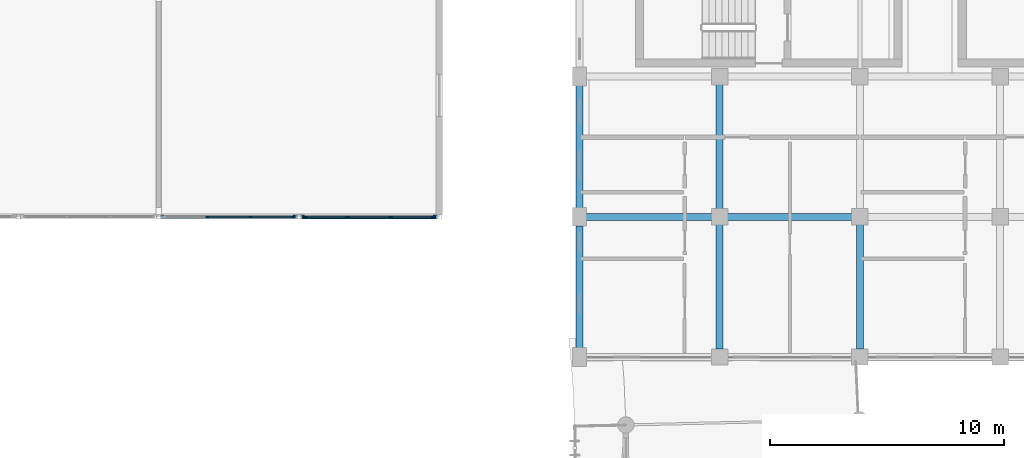
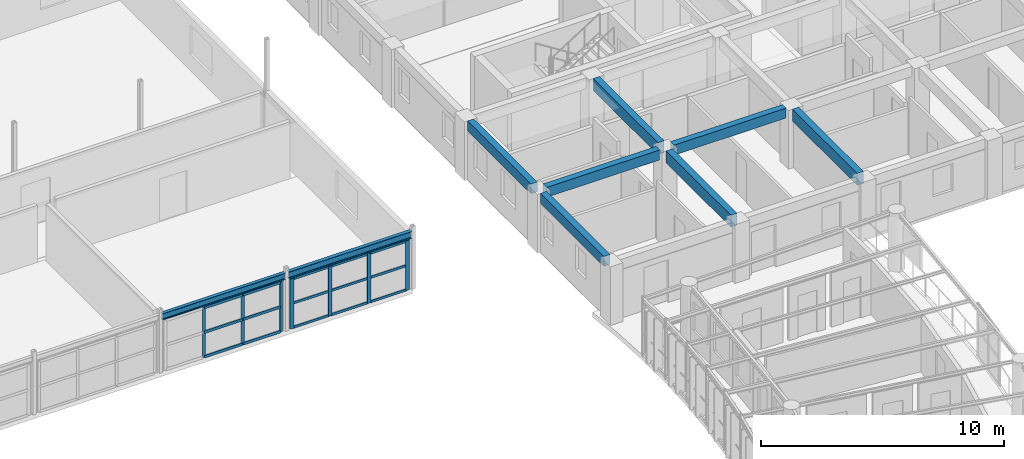
# One storey, part 41 of 137: 22 members, 9 beams, 2 elements without a shape of their own.
"""IFC4 building model written with IfcOpenShell, lengths in metres."""

from ifc_helpers import new_model, si_unit, direction, frame, origin, origin_2d, place, context, subcontext, project, spatial, rectangle, i_section, extrude, material, layer, layer_set, material_profile, profile_set, type_object, element, aggregate, save


model = new_model("IFC4")

# Units and contexts
model_context = context("Model", 3, precision=1e-05, world=origin(), true_north=direction((0.0, 1.0)))
body_context = subcontext(model_context, "Body", "Model", "MODEL_VIEW")
ifc_project = project(units=[si_unit("LENGTHUNIT", "METRE"), si_unit("AREAUNIT", "SQUARE_METRE"), si_unit("VOLUMEUNIT", "CUBIC_METRE"), si_unit("PLANEANGLEUNIT", "RADIAN"), si_unit("MASSUNIT", "GRAM", prefix="KILO"), si_unit("POWERUNIT", "WATT"), si_unit("THERMODYNAMICTEMPERATUREUNIT", "KELVIN")], contexts=[model_context])

# Site, building, storey
site_placement = place(None, origin())
site = spatial("IfcSite", under=ifc_project, at=site_placement, CompositionType="ELEMENT")
building_placement = place(site_placement, origin())
building = spatial("IfcBuilding", under=site, at=building_placement, Name="Ruvembo Vaulted Housing Court", CompositionType="ELEMENT")
storey_placement = place(building_placement, frame((0.0, 0.0, 4.5)))
storey = spatial("IfcBuildingStorey", under=building, at=storey_placement, Name="L01", CompositionType="ELEMENT", Elevation=4.5)

# Beams
ifc_material_1 = material(Name="Concrete C35/45", Category="concrete")
ifc_material_profile_1 = material_profile(ifc_material_1, rectangle(XDim=0.300048828125, YDim=0.60009765625, at=origin_2d()), Name="RC 300x600")
ifc_profile_set_1 = profile_set([ifc_material_profile_1], Name="Concrete C35/45")
beam_type_1 = type_object("IfcBeamType", Name="BM-RC-300x600", PredefinedType="BEAM", material=ifc_profile_set_1)
for number, where, z_axis, x_axis, name in (
    (1, (54.0, 78.3349609375, 2.64501953125), (0.0, 1.0, 0.0), (-1.0, 0.0, 0.0), "L01 Grid Beam Y #1349"),
    (2, (54.0, 84.3349609375, 2.64501953125), (0.0, 1.0, 0.0), (-1.0, 0.0, 0.0), "L01 Grid Beam Y #1350"),
    (3, (60.0, 78.3349609375, 2.64501953125), (0.0, 1.0, 0.0), (-1.0, 0.0, 0.0), "L01 Grid Beam Y #1353"),
):
    element("IfcBeam", number, at=place(storey_placement, frame(where, z_axis=z_axis, x_axis=x_axis)), inside=storey, type_object=beam_type_1, Name=name, PredefinedType="BEAM", context=body_context, shape_type="SweptSolid", body=[
        extrude(rectangle(XDim=0.300048828125, YDim=0.60009765625, at=origin_2d()), origin(), (0.0, 0.0, 1.0), 5.330078125),
    ])
ifc_material_2 = material(Name="Steel S355J2", Category="steel")
ifc_material_profile_2 = material_profile(ifc_material_2, i_section(OverallWidth=0.159912109375, OverallDepth=0.330078125, WebThickness=0.007568359375, FlangeThickness=0.011474609375, FilletRadius=0.01806640625, at=origin_2d()), Name="IPE 330")
ifc_profile_set_2 = profile_set([ifc_material_profile_2], Name="Steel S355J2")
beam_type_2 = type_object("IfcBeamType", Name="BM-ST-IPE330", PredefinedType="BEAM", material=ifc_profile_set_2)
beam_1_placement = place(storey_placement, frame((30.074951171875, 84.0, 2.760986328125), z_axis=(1.0, 0.0, 0.0), x_axis=(0.0, 1.0, 0.0)))
element("IfcBeam", 4, at=beam_1_placement, inside=storey, type_object=beam_type_2, Name="L01 Grid Beam X #1250", PredefinedType="BEAM", context=body_context, shape_type="SweptSolid", body=[
    extrude(i_section(OverallWidth=0.159912109375, OverallDepth=0.330078125, WebThickness=0.007568359375, FlangeThickness=0.011474609375, FilletRadius=0.01806640625, at=origin_2d()), origin(), (0.0, 0.0, 1.0), 5.85009765625),
])
ifc_material_profile_3 = material_profile(ifc_material_2, i_section(OverallWidth=0.169921875, OverallDepth=0.360107421875, WebThickness=0.008056640625, FlangeThickness=0.0126953125, FilletRadius=0.01806640625, at=origin_2d()), Name="IPE 360")
ifc_profile_set_3 = profile_set([ifc_material_profile_3], Name="Steel S355J2")
beam_type_3 = type_object("IfcBeamType", Name="BM-ST-IPE360", PredefinedType="BEAM", material=ifc_profile_set_3)
beam_2_placement = place(storey_placement, frame((36.074951171875, 84.0, 2.74609375), z_axis=(1.0, 0.0, 0.0), x_axis=(0.0, 1.0, 0.0)))
element("IfcBeam", 5, at=beam_2_placement, inside=storey, type_object=beam_type_3, Name="L01 Grid Beam X #1251", PredefinedType="BEAM", context=body_context, shape_type="SweptSolid", body=[
    extrude(i_section(OverallWidth=0.169921875, OverallDepth=0.360107421875, WebThickness=0.008056640625, FlangeThickness=0.0126953125, FilletRadius=0.01806640625, at=origin_2d()), origin(), (0.0, 0.0, 1.0), 5.85009765625),
])

# Curtain wall, members
ifc_material_3 = material(Name="Anodised Aluminium and Solar-Control Glass", Category="aluminium")
ifc_layer = layer(ifc_material_3, 0.1201171875, Name="Anodised Aluminium and Solar-Control Glass")
ifc_layer_set = layer_set([ifc_layer], Name="Anodised Aluminium and Solar-Control Glass")
curtain_wall_type = type_object("IfcCurtainWallType", Name="CW-NURSERY-U", PredefinedType="NOTDEFINED", material=ifc_layer_set)
curtain_wall_1_placement = place(storey_placement, origin())
curtain_wall_1 = element("IfcCurtainWall", 6, at=curtain_wall_1_placement, inside=storey, type_object=curtain_wall_type, Name="L01 Curtain Wall CW-L01-0136", PredefinedType="NOTDEFINED")
ifc_material_4 = material(Name="Anodised Aluminium 6063-T6", Category="aluminium")
ifc_material_profile_4 = material_profile(ifc_material_4, rectangle(XDim=0.06005859375, YDim=0.139892578125, at=origin_2d()), Name="ALU 60x140")
ifc_profile_set_4 = profile_set([ifc_material_profile_4], Name="Anodised Aluminium 6063-T6")
member_type_1 = type_object("IfcMemberType", Name="CW-MUL-60x140", PredefinedType="MULLION", material=ifc_profile_set_4)
member_1_placement = place(storey_placement, frame((32.074951171875, 84.0, 0.0), z_axis=(0.0, 0.0, 1.0), x_axis=(0.0, 1.0, 0.0)))
member_1 = element("IfcMember", 7, at=member_1_placement, type_object=member_type_1, Name="CW9 mullion 2", PredefinedType="MULLION", context=body_context, shape_type="SweptSolid", body=[
    extrude(rectangle(XDim=0.06005859375, YDim=0.139892578125, at=origin_2d()), origin(), (0.0, 0.0, 1.0), 2.528076171875),
])
member_2_placement = place(storey_placement, frame((33.925048828125, 84.0, 0.0), z_axis=(0.0, 0.0, 1.0), x_axis=(0.0, 1.0, 0.0)))
member_2 = element("IfcMember", 8, at=member_2_placement, type_object=member_type_1, Name="CW9 mullion 3", PredefinedType="MULLION", context=body_context, shape_type="SweptSolid", body=[
    extrude(rectangle(XDim=0.06005859375, YDim=0.139892578125, at=origin_2d()), origin(), (0.0, 0.0, 1.0), 2.528076171875),
])
member_3_placement = place(storey_placement, frame((35.7451171875, 84.0, 0.0), z_axis=(0.0, 0.0, 1.0), x_axis=(0.0, 1.0, 0.0)))
member_3 = element("IfcMember", 9, at=member_3_placement, type_object=member_type_1, Name="CW9 mullion 4", PredefinedType="MULLION", context=body_context, shape_type="SweptSolid", body=[
    extrude(rectangle(XDim=0.06005859375, YDim=0.139892578125, at=origin_2d()), origin(), (0.0, 0.0, 1.0), 2.528076171875),
])

curtain_wall_2_placement = place(storey_placement, origin())
curtain_wall_2 = element("IfcCurtainWall", 10, at=curtain_wall_2_placement, inside=storey, type_object=curtain_wall_type, Name="L01 Curtain Wall CW-L01-0138", PredefinedType="NOTDEFINED")
ifc_material_profile_5 = material_profile(ifc_material_4, rectangle(XDim=0.06494140625, YDim=0.179931640625, at=origin_2d()), Name="ALU 65x180")
ifc_profile_set_5 = profile_set([ifc_material_profile_5], Name="Anodised Aluminium 6063-T6")
member_type_2 = type_object("IfcMemberType", Name="CW-MUL-65x180", PredefinedType="MULLION", material=ifc_profile_set_5)
member_4_placement = place(storey_placement, frame((36.257568359375, 84.0, 0.0), z_axis=(0.0, 0.0, 1.0), x_axis=(0.0, 1.0, 0.0)))
member_4 = element("IfcMember", 11, at=member_4_placement, type_object=member_type_2, Name="CW9 mullion 1", PredefinedType="MULLION", context=body_context, shape_type="SweptSolid", body=[
    extrude(rectangle(XDim=0.06494140625, YDim=0.179931640625, at=origin_2d()), origin(), (0.0, 0.0, 1.0), 2.498046875),
])
member_5_placement = place(storey_placement, frame((38.074951171875, 84.0, 0.0), z_axis=(0.0, 0.0, 1.0), x_axis=(0.0, 1.0, 0.0)))
member_5 = element("IfcMember", 12, at=member_5_placement, type_object=member_type_2, Name="CW9 mullion 2", PredefinedType="MULLION", context=body_context, shape_type="SweptSolid", body=[
    extrude(rectangle(XDim=0.06494140625, YDim=0.179931640625, at=origin_2d()), origin(), (0.0, 0.0, 1.0), 2.498046875),
])
member_6_placement = place(storey_placement, frame((39.925048828125, 84.0, 0.0), z_axis=(0.0, 0.0, 1.0), x_axis=(0.0, 1.0, 0.0)))
member_6 = element("IfcMember", 13, at=member_6_placement, type_object=member_type_2, Name="CW9 mullion 3", PredefinedType="MULLION", context=body_context, shape_type="SweptSolid", body=[
    extrude(rectangle(XDim=0.06494140625, YDim=0.179931640625, at=origin_2d()), origin(), (0.0, 0.0, 1.0), 2.498046875),
])
member_7_placement = place(storey_placement, frame((41.742431640625, 84.0, 0.0), z_axis=(0.0, 0.0, 1.0), x_axis=(0.0, 1.0, 0.0)))
member_7 = element("IfcMember", 14, at=member_7_placement, type_object=member_type_2, Name="CW9 mullion 4", PredefinedType="MULLION", context=body_context, shape_type="SweptSolid", body=[
    extrude(rectangle(XDim=0.06494140625, YDim=0.179931640625, at=origin_2d()), origin(), (0.0, 0.0, 1.0), 2.498046875),
])
ifc_material_profile_6 = material_profile(ifc_material_4, rectangle(XDim=0.06005859375, YDim=0.1201171875, at=origin_2d()), Name="ALU 60x120")
ifc_profile_set_6 = profile_set([ifc_material_profile_6], Name="Anodised Aluminium 6063-T6")
member_type_3 = type_object("IfcMemberType", Name="CW-TRANSOM-65x120", PredefinedType="USERDEFINED", material=ifc_profile_set_6)
member_8_placement = place(storey_placement, frame((36.2900390625, 84.0, 0.030029296875), z_axis=(1.0, 0.0, 0.0), x_axis=(0.0, 1.0, 0.0)))
member_8 = element("IfcMember", 15, at=member_8_placement, type_object=member_type_3, Name="CW9 transom 1.1", ObjectType="TRANSOM", PredefinedType="USERDEFINED", context=body_context, shape_type="SweptSolid", body=[
    extrude(rectangle(XDim=0.06005859375, YDim=0.1201171875, at=origin_2d()), origin(), (0.0, 0.0, 1.0), 1.75244140625),
])
member_9_placement = place(storey_placement, frame((36.2900390625, 84.0, 1.2490234375), z_axis=(1.0, 0.0, 0.0), x_axis=(0.0, 1.0, 0.0)))
member_9 = element("IfcMember", 16, at=member_9_placement, type_object=member_type_3, Name="CW9 transom 1.2", ObjectType="TRANSOM", PredefinedType="USERDEFINED", context=body_context, shape_type="SweptSolid", body=[
    extrude(rectangle(XDim=0.06005859375, YDim=0.1201171875, at=origin_2d()), origin(), (0.0, 0.0, 1.0), 1.75244140625),
])
member_10_placement = place(storey_placement, frame((36.2900390625, 84.0, 2.468017578125), z_axis=(1.0, 0.0, 0.0), x_axis=(0.0, 1.0, 0.0)))
member_10 = element("IfcMember", 17, at=member_10_placement, type_object=member_type_3, Name="CW9 transom 1.3", ObjectType="TRANSOM", PredefinedType="USERDEFINED", context=body_context, shape_type="SweptSolid", body=[
    extrude(rectangle(XDim=0.06005859375, YDim=0.1201171875, at=origin_2d()), origin(), (0.0, 0.0, 1.0), 1.75244140625),
])
member_11_placement = place(storey_placement, frame((38.107421875, 84.0, 0.030029296875), z_axis=(1.0, 0.0, 0.0), x_axis=(0.0, 1.0, 0.0)))
member_11 = element("IfcMember", 18, at=member_11_placement, type_object=member_type_3, Name="CW9 transom 2.1", ObjectType="TRANSOM", PredefinedType="USERDEFINED", context=body_context, shape_type="SweptSolid", body=[
    extrude(rectangle(XDim=0.06005859375, YDim=0.1201171875, at=origin_2d()), origin(), (0.0, 0.0, 1.0), 1.78515625),
])
member_12_placement = place(storey_placement, frame((38.107421875, 84.0, 1.2490234375), z_axis=(1.0, 0.0, 0.0), x_axis=(0.0, 1.0, 0.0)))
member_12 = element("IfcMember", 19, at=member_12_placement, type_object=member_type_3, Name="CW9 transom 2.2", ObjectType="TRANSOM", PredefinedType="USERDEFINED", context=body_context, shape_type="SweptSolid", body=[
    extrude(rectangle(XDim=0.06005859375, YDim=0.1201171875, at=origin_2d()), origin(), (0.0, 0.0, 1.0), 1.78515625),
])
member_13_placement = place(storey_placement, frame((38.107421875, 84.0, 2.468017578125), z_axis=(1.0, 0.0, 0.0), x_axis=(0.0, 1.0, 0.0)))
member_13 = element("IfcMember", 20, at=member_13_placement, type_object=member_type_3, Name="CW9 transom 2.3", ObjectType="TRANSOM", PredefinedType="USERDEFINED", context=body_context, shape_type="SweptSolid", body=[
    extrude(rectangle(XDim=0.06005859375, YDim=0.1201171875, at=origin_2d()), origin(), (0.0, 0.0, 1.0), 1.78515625),
])
member_14_placement = place(storey_placement, frame((39.95751953125, 84.0, 0.030029296875), z_axis=(1.0, 0.0, 0.0), x_axis=(0.0, 1.0, 0.0)))
member_14 = element("IfcMember", 21, at=member_14_placement, type_object=member_type_3, Name="CW9 transom 3.1", ObjectType="TRANSOM", PredefinedType="USERDEFINED", context=body_context, shape_type="SweptSolid", body=[
    extrude(rectangle(XDim=0.06005859375, YDim=0.1201171875, at=origin_2d()), origin(), (0.0, 0.0, 1.0), 1.75244140625),
])
member_15_placement = place(storey_placement, frame((39.95751953125, 84.0, 1.2490234375), z_axis=(1.0, 0.0, 0.0), x_axis=(0.0, 1.0, 0.0)))
member_15 = element("IfcMember", 22, at=member_15_placement, type_object=member_type_3, Name="CW9 transom 3.2", ObjectType="TRANSOM", PredefinedType="USERDEFINED", context=body_context, shape_type="SweptSolid", body=[
    extrude(rectangle(XDim=0.06005859375, YDim=0.1201171875, at=origin_2d()), origin(), (0.0, 0.0, 1.0), 1.75244140625),
])
member_16_placement = place(storey_placement, frame((39.95751953125, 84.0, 2.468017578125), z_axis=(1.0, 0.0, 0.0), x_axis=(0.0, 1.0, 0.0)))
member_16 = element("IfcMember", 23, at=member_16_placement, type_object=member_type_3, Name="CW9 transom 3.3", ObjectType="TRANSOM", PredefinedType="USERDEFINED", context=body_context, shape_type="SweptSolid", body=[
    extrude(rectangle(XDim=0.06005859375, YDim=0.1201171875, at=origin_2d()), origin(), (0.0, 0.0, 1.0), 1.75244140625),
])
aggregate(curtain_wall_2, [member_4, member_5, member_6, member_7, member_8, member_9, member_10, member_11, member_12, member_13, member_14, member_15, member_16])

# Member
ifc_material_profile_7 = material_profile(ifc_material_4, rectangle(XDim=0.06494140625, YDim=0.135009765625, at=origin_2d()), Name="ALU 65x135")
ifc_profile_set_7 = profile_set([ifc_material_profile_7], Name="Anodised Aluminium 6063-T6")
member_type_4 = type_object("IfcMemberType", Name="CW-TRN-65x135", PredefinedType="USERDEFINED", material=ifc_profile_set_7)
member_17_placement = place(storey_placement, frame((32.10498046875, 84.0, 0.032470703125), z_axis=(1.0, 0.0, 0.0), x_axis=(0.0, 1.0, 0.0)))
member_17 = element("IfcMember", 24, at=member_17_placement, type_object=member_type_4, Name="CW9 transom 2.1", ObjectType="TRANSOM", PredefinedType="USERDEFINED", context=body_context, shape_type="SweptSolid", body=[
    extrude(rectangle(XDim=0.06494140625, YDim=0.135009765625, at=origin_2d()), origin(), (0.0, 0.0, 1.0), 1.7900390625),
])

member_18_placement = place(storey_placement, frame((32.10498046875, 84.0, 1.263916015625), z_axis=(1.0, 0.0, 0.0), x_axis=(0.0, 1.0, 0.0)))
member_18 = element("IfcMember", 25, at=member_18_placement, type_object=member_type_4, Name="CW9 transom 2.2", ObjectType="TRANSOM", PredefinedType="USERDEFINED", context=body_context, shape_type="SweptSolid", body=[
    extrude(rectangle(XDim=0.06494140625, YDim=0.135009765625, at=origin_2d()), origin(), (0.0, 0.0, 1.0), 1.7900390625),
])

member_19_placement = place(storey_placement, frame((32.10498046875, 84.0, 2.49560546875), z_axis=(1.0, 0.0, 0.0), x_axis=(0.0, 1.0, 0.0)))
member_19 = element("IfcMember", 26, at=member_19_placement, type_object=member_type_4, Name="CW9 transom 2.3", ObjectType="TRANSOM", PredefinedType="USERDEFINED", context=body_context, shape_type="SweptSolid", body=[
    extrude(rectangle(XDim=0.06494140625, YDim=0.135009765625, at=origin_2d()), origin(), (0.0, 0.0, 1.0), 1.7900390625),
])

member_20_placement = place(storey_placement, frame((33.955078125, 84.0, 0.032470703125), z_axis=(1.0, 0.0, 0.0), x_axis=(0.0, 1.0, 0.0)))
member_20 = element("IfcMember", 27, at=member_20_placement, type_object=member_type_4, Name="CW9 transom 3.1", ObjectType="TRANSOM", PredefinedType="USERDEFINED", context=body_context, shape_type="SweptSolid", body=[
    extrude(rectangle(XDim=0.06494140625, YDim=0.135009765625, at=origin_2d()), origin(), (0.0, 0.0, 1.0), 1.760009765625),
])

member_21_placement = place(storey_placement, frame((33.955078125, 84.0, 1.263916015625), z_axis=(1.0, 0.0, 0.0), x_axis=(0.0, 1.0, 0.0)))
member_21 = element("IfcMember", 28, at=member_21_placement, type_object=member_type_4, Name="CW9 transom 3.2", ObjectType="TRANSOM", PredefinedType="USERDEFINED", context=body_context, shape_type="SweptSolid", body=[
    extrude(rectangle(XDim=0.06494140625, YDim=0.135009765625, at=origin_2d()), origin(), (0.0, 0.0, 1.0), 1.760009765625),
])

member_22_placement = place(storey_placement, frame((33.955078125, 84.0, 2.49560546875), z_axis=(1.0, 0.0, 0.0), x_axis=(0.0, 1.0, 0.0)))
member_22 = element("IfcMember", 29, at=member_22_placement, type_object=member_type_4, Name="CW9 transom 3.3", ObjectType="TRANSOM", PredefinedType="USERDEFINED", context=body_context, shape_type="SweptSolid", body=[
    extrude(rectangle(XDim=0.06494140625, YDim=0.135009765625, at=origin_2d()), origin(), (0.0, 0.0, 1.0), 1.760009765625),
])

aggregate(curtain_wall_1, [member_1, member_2, member_3, member_17, member_18, member_19, member_20, member_21, member_22])

# Beams
ifc_material_profile_8 = material_profile(ifc_material_1, rectangle(XDim=0.300048828125, YDim=0.5, at=origin_2d()), Name="RC 300x500")
ifc_profile_set_8 = profile_set([ifc_material_profile_8], Name="Concrete C35/45")
beam_type_4 = type_object("IfcBeamType", Name="SP-RC-300x500", PredefinedType="SPANDREL", material=ifc_profile_set_8)
beam_3_placement = place(storey_placement, frame((48.284912109375, 84.0, 2.695068359375), z_axis=(1.0, 0.0, 0.0), x_axis=(0.0, 1.0, 0.0)))
element("IfcBeam", 30, at=beam_3_placement, inside=storey, type_object=beam_type_4, Name="L01 Grid Beam X #1252", PredefinedType="SPANDREL", context=body_context, shape_type="SweptSolid", body=[
    extrude(rectangle(XDim=0.300048828125, YDim=0.5, at=origin_2d()), origin(), (0.0, 0.0, 1.0), 5.380126953125),
])
beam_4_placement = place(storey_placement, frame((54.3349609375, 84.0, 2.695068359375), z_axis=(1.0, 0.0, 0.0), x_axis=(0.0, 1.0, 0.0)))
element("IfcBeam", 31, at=beam_4_placement, inside=storey, type_object=beam_type_4, Name="L01 Grid Beam X #1253", PredefinedType="SPANDREL", context=body_context, shape_type="SweptSolid", body=[
    extrude(rectangle(XDim=0.300048828125, YDim=0.5, at=origin_2d()), origin(), (0.0, 0.0, 1.0), 5.330078125),
])
for number, where, z_axis, x_axis, name in (
    (32, (48.0, 78.385009765625, 2.695068359375), (0.0, 1.0, 0.0), (-1.0, 0.0, 0.0), "L01 Grid Beam Y #1343"),
    (33, (48.0, 84.385009765625, 2.695068359375), (0.0, 1.0, 0.0), (-1.0, 0.0, 0.0), "L01 Grid Beam Y #1344"),
):
    element("IfcBeam", number, at=place(storey_placement, frame(where, z_axis=z_axis, x_axis=x_axis)), inside=storey, type_object=beam_type_4, Name=name, PredefinedType="SPANDREL", context=body_context, shape_type="SweptSolid", body=[
        extrude(rectangle(XDim=0.300048828125, YDim=0.5, at=origin_2d()), origin(), (0.0, 0.0, 1.0), 5.22998046875),
    ])

save(model, "model.ifc")
